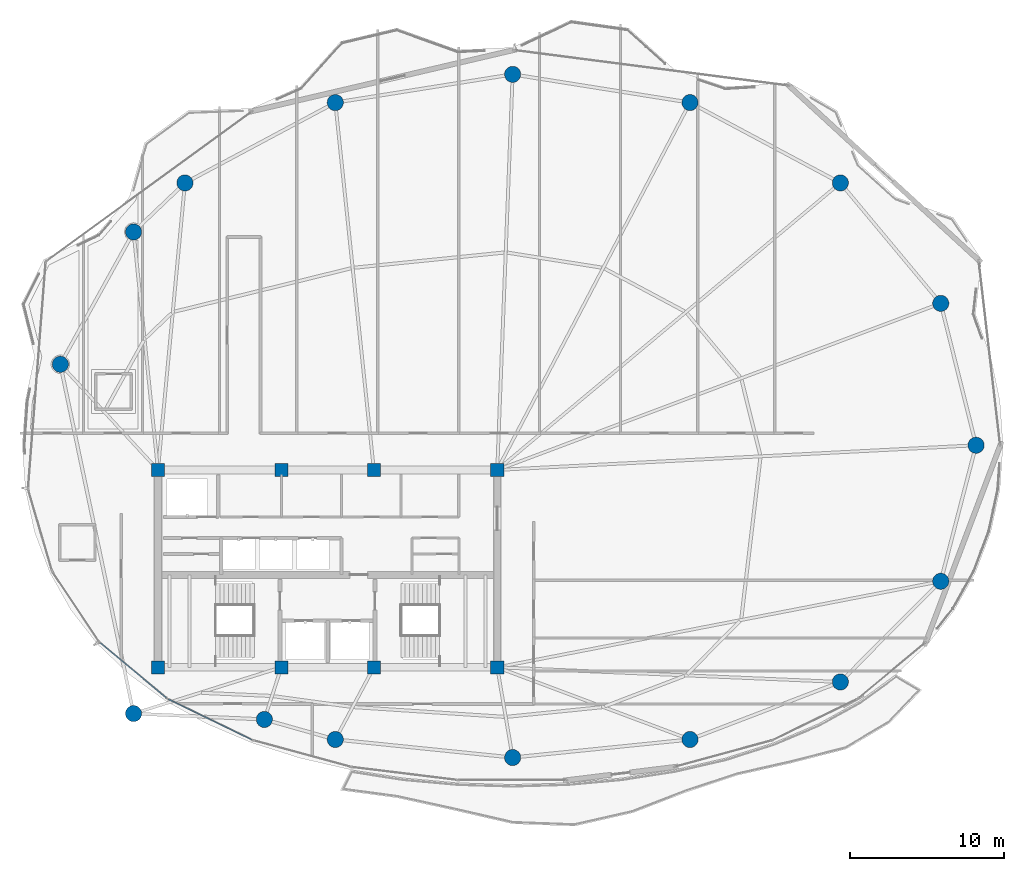
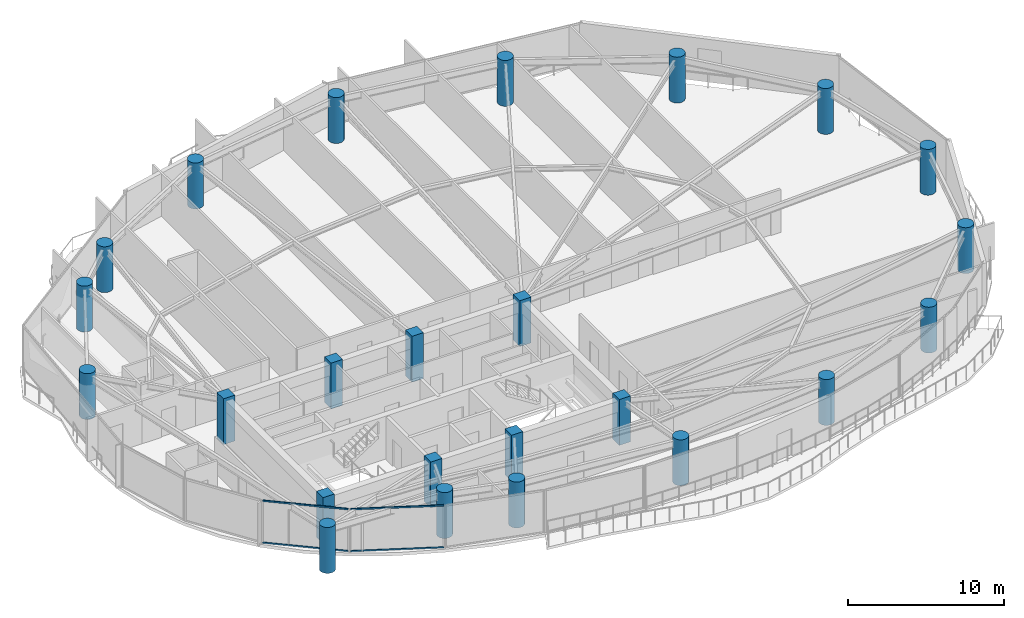
# One storey, part 1 of 31: 24 columns, 4 members, 2 elements without a shape of their own.
"""IFC4 building model written with IfcOpenShell, lengths in metres."""

from ifc_helpers import new_model, si_unit, direction, frame, origin, origin_2d, place, context, subcontext, project, spatial, rectangle, hollow_rectangle, circle, extrude, material, layer, layer_set, material_profile, profile_set, type_object, element, aggregate, save


model = new_model("IFC4")

# Units and contexts
model_context = context("Model", 3, precision=1e-05, world=origin(), true_north=direction((0.0, 1.0)))
body_context = subcontext(model_context, "Body", "Model", "MODEL_VIEW")
ifc_project = project(units=[si_unit("LENGTHUNIT", "METRE"), si_unit("AREAUNIT", "SQUARE_METRE"), si_unit("VOLUMEUNIT", "CUBIC_METRE"), si_unit("PLANEANGLEUNIT", "RADIAN"), si_unit("MASSUNIT", "GRAM", prefix="KILO")], contexts=[model_context])

# Site, building, storey
site_placement = place(None, origin())
site = spatial("IfcSite", under=ifc_project, at=site_placement, CompositionType="ELEMENT")
building_placement = place(site_placement, origin())
building = spatial("IfcBuilding", under=site, at=building_placement, Name="Kazevale Care Tower and Concert Hall", CompositionType="ELEMENT")
storey_placement = place(building_placement, frame((0.0, 0.0, 202.800048828125)))
storey = spatial("IfcBuildingStorey", under=building, at=storey_placement, Name="L53", CompositionType="ELEMENT", Elevation=202.800048828125)

# Columns
ifc_material_1 = material(Name="Concrete C50", Category="concrete")
ifc_material_profile_1 = material_profile(ifc_material_1, rectangle(XDim=0.85009765625, YDim=0.85009765625, at=origin_2d()), Name="RC-SQ850")
ifc_profile_set_1 = profile_set([ifc_material_profile_1], Name="Concrete C50")
column_type_1 = type_object("IfcColumnType", Name="Core Column SQ850 C50", PredefinedType="COLUMN", material=ifc_profile_set_1)
for number, where, z_axis, x_axis, name in (
    (1, (22.0, 23.60009765625, 0.0), (0.0, 0.0, 1.0), (1.0, 0.0, 0.0), "col:L53:CC-01"),
    (2, (30.0, 23.60009765625, 0.0), (0.0, 0.0, 1.0), (1.0, 0.0, 0.0), "col:L53:CC-02"),
    (3, (36.0, 23.60009765625, 0.0), (0.0, 0.0, 1.0), (1.0, 0.0, 0.0), "col:L53:CC-03"),
    (4, (44.0, 23.60009765625, 0.0), (0.0, 0.0, 1.0), (1.0, 0.0, 0.0), "col:L53:CC-04"),
    (5, (44.0, 36.39990234375, 0.0), (0.0, 0.0, 1.0), (1.0, 0.0, 0.0), "col:L53:CC-05"),
    (6, (36.0, 36.39990234375, 0.0), (0.0, 0.0, 1.0), (1.0, 0.0, 0.0), "col:L53:CC-06"),
    (7, (30.0, 36.39990234375, 0.0), (0.0, 0.0, 1.0), (1.0, 0.0, 0.0), "col:L53:CC-07"),
    (8, (22.0, 36.39990234375, 0.0), (0.0, 0.0, 1.0), (1.0, 0.0, 0.0), "col:L53:CC-08"),
):
    element("IfcColumn", number, at=place(storey_placement, frame(where, z_axis=z_axis, x_axis=x_axis)), inside=storey, type_object=column_type_1, Name=name, PredefinedType="COLUMN", context=body_context, shape_type="SweptSolid", body=[
        extrude(rectangle(XDim=0.85009765625, YDim=0.85009765625, at=origin_2d()), origin(), (0.0, 0.0, 1.0), 3.599853515625),
    ])
ifc_material_profile_2 = material_profile(ifc_material_1, circle(Radius=0.52490234375, at=origin_2d()), Name="RC-CIR1050")
ifc_profile_set_2 = profile_set([ifc_material_profile_2], Name="Concrete C50")
column_type_2 = type_object("IfcColumnType", Name="Perimeter Column CIR1050 C50", PredefinedType="COLUMN", material=ifc_profile_set_2)
for number, where, z_axis, x_axis, name in (
    (9, (75.050048828125, 38.0, 0.0), (0.0, 0.0, 1.0), (1.0, 0.0, 0.0), "col:L53:PC-01"),
    (10, (72.760009765625, 47.199951171875, 0.0), (0.0, 0.0, 1.0), (1.0, 0.0, 0.0), "col:L53:PC-02"),
    (11, (66.25, 55.010009765625, 0.0), (0.0, 0.0, 1.0), (1.0, 0.0, 0.0), "col:L53:PC-03"),
    (12, (56.5, 60.219970703125, 0.0), (0.0, 0.0, 1.0), (1.0, 0.0, 0.0), "col:L53:PC-04"),
    (13, (45.0, 62.050048828125, 0.0), (0.0, 0.0, 1.0), (1.0, 0.0, 0.0), "col:L53:PC-05"),
    (14, (33.5, 60.219970703125, 0.0), (0.0, 0.0, 1.0), (1.0, 0.0, 0.0), "col:L53:PC-06"),
    (15, (23.75, 55.010009765625, 0.0), (0.0, 0.0, 1.0), (1.0, 0.0, 0.0), "col:L53:PC-07"),
    (16, (20.419921875, 51.830078125, 0.0), (0.0, 0.0, 1.0), (1.0, 0.0, 0.0), "col:L53:PC-08"),
    (17, (15.669921875, 43.25, 0.0), (0.0, 0.0, 1.0), (1.0, 0.0, 0.0), "col:L53:PC-09"),
    (18, (20.419921875, 20.60009765625, 0.0), (0.0, 0.0, 1.0), (1.0, 0.0, 0.0), "col:L53:PC-10"),
    (19, (28.89990234375, 20.219970703125, 0.0), (0.0, 0.0, 1.0), (1.0, 0.0, 0.0), "col:L53:PC-11"),
    (20, (33.5, 18.919921875, 0.0), (0.0, 0.0, 1.0), (1.0, 0.0, 0.0), "col:L53:PC-12"),
    (21, (45.0, 17.75, 0.0), (0.0, 0.0, 1.0), (1.0, 0.0, 0.0), "col:L53:PC-13"),
    (22, (56.5, 18.919921875, 0.0), (0.0, 0.0, 1.0), (1.0, 0.0, 0.0), "col:L53:PC-14"),
    (23, (66.25, 22.64990234375, 0.0), (0.0, 0.0, 1.0), (1.0, 0.0, 0.0), "col:L53:PC-15"),
    (24, (72.760009765625, 29.179931640625, 0.0), (0.0, 0.0, 1.0), (1.0, 0.0, 0.0), "col:L53:PC-16"),
):
    element("IfcColumn", number, at=place(storey_placement, frame(where, z_axis=z_axis, x_axis=x_axis)), inside=storey, type_object=column_type_2, Name=name, PredefinedType="COLUMN", context=body_context, shape_type="SweptSolid", body=[
        extrude(circle(Radius=0.52490234375, at=origin_2d()), origin(), (0.0, 0.0, 1.0), 3.599853515625),
    ])

# Curtain wall, members
ifc_material_2 = material(Name="Aluminium 6063-T6 and Low-E Glass", Category="aluminium")
ifc_layer = layer(ifc_material_2, 0.179931640625)
ifc_layer_set = layer_set([ifc_layer], Name="Aluminium 6063-T6 and Low-E Glass")
curtain_wall_type = type_object("IfcCurtainWallType", Name="Sheltered Concave Balcony Curtain Wall CW-5", PredefinedType="NOTDEFINED", material=ifc_layer_set)
curtain_wall_1_placement = place(storey_placement, origin())
curtain_wall_1 = element("IfcCurtainWall", 25, at=curtain_wall_1_placement, inside=storey, type_object=curtain_wall_type, Name="cw:L53:f09", PredefinedType="NOTDEFINED")
ifc_material_3 = material(Name="Aluminium 6063-T6", Category="aluminium")
ifc_material_profile_3 = material_profile(ifc_material_3, hollow_rectangle(XDim=0.074951171875, YDim=0.1201171875, WallThickness=0.00390625, at=origin_2d()), Name="ALU75x120x4")
ifc_profile_set_3 = profile_set([ifc_material_profile_3], Name="Aluminium 6063-T6")
member_type = type_object("IfcMemberType", Name="CW-5 Transom ALU75x120x4", PredefinedType="USERDEFINED", material=ifc_profile_set_3)
member_1_placement = place(storey_placement, frame((28.07666015625, 18.90576171875, 0.037353515625), z_axis=(-0.899342308406, 0.437245254189, 0.0), x_axis=(-0.437245254189, -0.899342308406, 0.0)))
member_1 = element("IfcMember", 26, at=member_1_placement, type_object=member_type, Name="CW-5 transom 1.1", ObjectType="TRANSOM", PredefinedType="USERDEFINED", context=body_context, shape_type="SweptSolid", body=[
    extrude(hollow_rectangle(XDim=0.074951171875, YDim=0.1201171875, WallThickness=0.00390625, at=origin_2d()), origin(), (0.0, 0.0, 1.0), 6.00244140625),
])
member_2_placement = place(storey_placement, frame((28.07666015625, 18.90576171875, 3.322509765625), z_axis=(-0.899342308406, 0.437245254189, 0.0), x_axis=(-0.437245254189, -0.899342308406, 0.0)))
member_2 = element("IfcMember", 27, at=member_2_placement, type_object=member_type, Name="CW-5 transom 1.2", ObjectType="TRANSOM", PredefinedType="USERDEFINED", context=body_context, shape_type="SweptSolid", body=[
    extrude(hollow_rectangle(XDim=0.074951171875, YDim=0.1201171875, WallThickness=0.00390625, at=origin_2d()), origin(), (0.0, 0.0, 1.0), 6.00244140625),
])
aggregate(curtain_wall_1, [member_1, member_2])

curtain_wall_2_placement = place(storey_placement, origin())
curtain_wall_2 = element("IfcCurtainWall", 28, at=curtain_wall_2_placement, inside=storey, type_object=curtain_wall_type, Name="cw:L53:f10", PredefinedType="NOTDEFINED")
member_3_placement = place(storey_placement, frame((22.553466796875, 21.611083984375, 0.037353515625), z_axis=(-0.768432829708, 0.639930454211, 0.0), x_axis=(-0.639930454211, -0.768432829708, 0.0)))
member_3 = element("IfcMember", 29, at=member_3_placement, type_object=member_type, Name="CW-5 transom 1.1", ObjectType="TRANSOM", PredefinedType="USERDEFINED", context=body_context, shape_type="SweptSolid", body=[
    extrude(hollow_rectangle(XDim=0.074951171875, YDim=0.1201171875, WallThickness=0.00390625, at=origin_2d()), origin(), (0.0, 0.0, 1.0), 5.580078125),
])
member_4_placement = place(storey_placement, frame((22.553466796875, 21.611083984375, 3.322509765625), z_axis=(-0.768432829708, 0.639930454211, 0.0), x_axis=(-0.639930454211, -0.768432829708, 0.0)))
member_4 = element("IfcMember", 30, at=member_4_placement, type_object=member_type, Name="CW-5 transom 1.2", ObjectType="TRANSOM", PredefinedType="USERDEFINED", context=body_context, shape_type="SweptSolid", body=[
    extrude(hollow_rectangle(XDim=0.074951171875, YDim=0.1201171875, WallThickness=0.00390625, at=origin_2d()), origin(), (0.0, 0.0, 1.0), 5.580078125),
])
aggregate(curtain_wall_2, [member_3, member_4])

save(model, "model.ifc")
